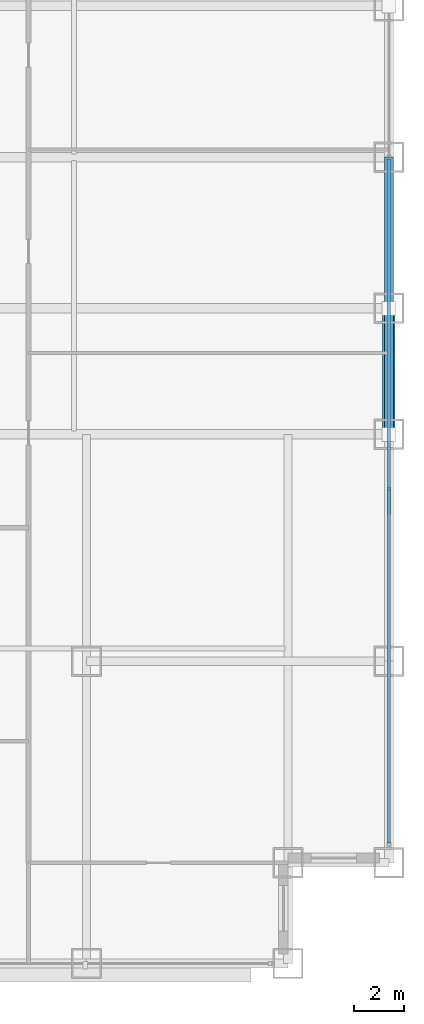
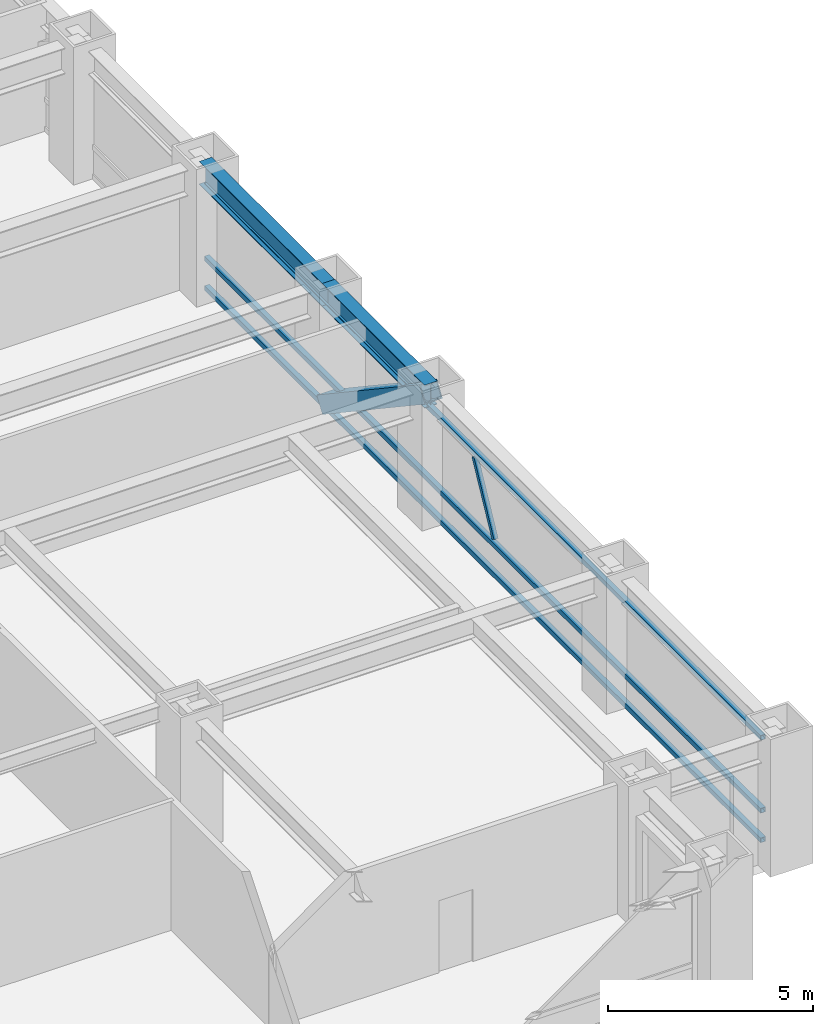
# One storey, part 13 of 32: 5 members, 2 beams, 1 element without a shape of its own.
"""IFC4 building model written with IfcOpenShell, lengths in metres."""

from ifc_helpers import new_model, si_unit, direction, frame, origin, origin_2d, place, context, subcontext, project, spatial, hollow_rectangle, i_section, extrude, source, transform, mapped, material, material_profile, profile_set, type_object, element, aggregate, save


model = new_model("IFC4")

# Units and contexts
model_context = context("Model", 3, precision=1e-05, world=origin(), true_north=direction((0.0, 1.0)))
body_context = subcontext(model_context, "Body", "Model", "MODEL_VIEW")
ifc_project = project(units=[si_unit("LENGTHUNIT", "METRE"), si_unit("AREAUNIT", "SQUARE_METRE"), si_unit("VOLUMEUNIT", "CUBIC_METRE"), si_unit("PLANEANGLEUNIT", "RADIAN"), si_unit("MASSUNIT", "GRAM", prefix="KILO")], contexts=[model_context])

# Site, building, storey
site_placement = place(None, origin())
site = spatial("IfcSite", under=ifc_project, at=site_placement, CompositionType="ELEMENT")
building_placement = place(site_placement, origin())
building = spatial("IfcBuilding", under=site, at=building_placement, Name="Khorayat Bourse Tower", CompositionType="ELEMENT")
storey_placement = place(building_placement, frame((0.0, 0.0, 95.5)))
storey = spatial("IfcBuildingStorey", under=building, at=storey_placement, Name="L21", CompositionType="ELEMENT", Elevation=95.5)

# Beams
ifc_material_1 = material(Name="Steel ASTM A992 Grade 50", Category="steel")
ifc_material_profile_1 = material_profile(ifc_material_1, i_section(OverallWidth=0.35498046875, OverallDepth=0.695068359375, WebThickness=0.015380859375, FlangeThickness=0.02490234375, FilletRadius=0.01806640625, at=origin_2d()), Name="W690X217")
ifc_profile_set_1 = profile_set([ifc_material_profile_1], Name="Steel ASTM A992 Grade 50")
beam_type = type_object("IfcBeamType", Name="BM-SPAN-690", PredefinedType="SPANDREL", material=ifc_profile_set_1)
shared_shape_1 = source(origin(), body_context, "Body", "SweptSolid", [
    extrude(i_section(OverallWidth=0.35498046875, OverallDepth=0.695068359375, WebThickness=0.015380859375, FlangeThickness=0.02490234375, FilletRadius=0.01806640625, at=origin_2d()), origin(), (0.0, 0.0, 1.0), 5.0),
])
beam_1_placement = place(storey_placement, frame((32.0, -11.0, 3.492431640625), z_axis=(0.0, 1.0, 0.0), x_axis=(-1.0, 0.0, 0.0)))
element("IfcBeam", 1, at=beam_1_placement, inside=storey, type_object=beam_type, Name="L21 BM-SPAN-690 BM-L21-SPN-036", PredefinedType="SPANDREL", context=body_context, shape_type="MappedRepresentation", body=[
    mapped(shared_shape_1, transform((0.0, 0.0, 0.0), scale=1.0)),
])
shared_shape_2 = source(origin(), body_context, "Body", "SweptSolid", [
    extrude(i_section(OverallWidth=0.35498046875, OverallDepth=0.695068359375, WebThickness=0.015380859375, FlangeThickness=0.02490234375, FilletRadius=0.01806640625, at=origin_2d()), origin(), (0.0, 0.0, 1.0), 6.0),
])
beam_2_placement = place(storey_placement, frame((32.0, -6.0, 3.492431640625), z_axis=(0.0, 1.0, 0.0), x_axis=(-1.0, 0.0, 0.0)))
element("IfcBeam", 2, at=beam_2_placement, inside=storey, type_object=beam_type, Name="L21 BM-SPAN-690 BM-L21-SPN-037", PredefinedType="SPANDREL", context=body_context, shape_type="MappedRepresentation", body=[
    mapped(shared_shape_2, transform((0.0, 0.0, 0.0), scale=1.0)),
])

# Member
ifc_material_2 = material(Name="Steel EN 10025-4 S460M", Category="steel")
ifc_material_profile_2 = material_profile(ifc_material_2, hollow_rectangle(XDim=0.5, YDim=0.5, WallThickness=0.028076171875, at=origin_2d()), Name="HSS 500x500x28")
ifc_profile_set_2 = profile_set([ifc_material_profile_2], Name="Steel EN 10025-4 S460M")
member_type_1 = type_object("IfcMemberType", Name="MBR-TUBE-500", PredefinedType="BRACE", material=ifc_profile_set_2)
shared_shape_3 = source(origin(), body_context, "Body", "SweptSolid", [
    extrude(hollow_rectangle(XDim=0.5, YDim=0.5, WallThickness=0.028076171875, at=origin_2d()), origin(), (0.0, 0.0, 1.0), 6.012939453125),
])
member_1_placement = place(storey_placement, frame((32.0, -11.0, 3.590087890625), z_axis=(0.0, 0.831531473026, -0.555477640745), x_axis=(-1.0, 0.0, 0.0)))
element("IfcMember", 3, at=member_1_placement, inside=storey, type_object=member_type_1, Name="L21 Perimeter Tube Brace 07", PredefinedType="BRACE", context=body_context, shape_type="MappedRepresentation", body=[
    mapped(shared_shape_3, transform((0.0, 0.0, 0.0), scale=1.0)),
])

# Curtain wall, members
ifc_material_3 = material(Name="Aluminium EN AW-6063 T6", Category="aluminium")
curtain_wall_type = type_object("IfcCurtainWallType", Name="CW-SYS-02", PredefinedType="NOTDEFINED", material=ifc_material_3)
curtain_wall_placement = place(storey_placement, origin())
curtain_wall = element("IfcCurtainWall", 4, at=curtain_wall_placement, inside=storey, type_object=curtain_wall_type, Name="L21 Curtain Wall CW-L21-E1", PredefinedType="NOTDEFINED")
ifc_material_profile_3 = material_profile(ifc_material_3, hollow_rectangle(XDim=0.139892578125, YDim=0.139892578125, WallThickness=0.006103515625, at=origin_2d()), Name="ALU 140x140x6")
ifc_profile_set_3 = profile_set([ifc_material_profile_3], Name="Aluminium EN AW-6063 T6")
member_type_2 = type_object("IfcMemberType", Name="CWT-HORZ-140", PredefinedType="USERDEFINED", material=ifc_profile_set_3)
shared_shape_4 = source(origin(), body_context, "Body", "SweptSolid", [
    extrude(hollow_rectangle(XDim=0.139892578125, YDim=0.139892578125, WallThickness=0.006103515625, at=origin_2d()), origin(), (0.0, 0.0, 1.0), 27.139892578125),
])
member_2_placement = place(storey_placement, frame((32.0, -27.2099609375, 0.070068359375), z_axis=(0.0, 1.0, 0.0), x_axis=(-1.0, 0.0, 0.0)))
member_2 = element("IfcMember", 5, at=member_2_placement, type_object=member_type_2, Name="CW-L21-E1 Horizontal Transom 1-1", ObjectType="TRANSOM", PredefinedType="USERDEFINED", context=body_context, shape_type="MappedRepresentation", body=[
    mapped(shared_shape_4, transform((0.0, 0.0, 0.0), scale=1.0)),
])
member_3_placement = place(storey_placement, frame((32.0, -27.2099609375, 0.949951171875), z_axis=(0.0, 1.0, 0.0), x_axis=(-1.0, 0.0, 0.0)))
member_3 = element("IfcMember", 6, at=member_3_placement, type_object=member_type_2, Name="CW-L21-E1 Horizontal Transom 1-2", ObjectType="TRANSOM", PredefinedType="USERDEFINED", context=body_context, shape_type="MappedRepresentation", body=[
    mapped(shared_shape_4, transform((0.0, 0.0, 0.0), scale=1.0)),
])
member_4_placement = place(storey_placement, frame((32.0, -27.2099609375, 3.1201171875), z_axis=(0.0, 1.0, 0.0), x_axis=(-1.0, 0.0, 0.0)))
member_4 = element("IfcMember", 7, at=member_4_placement, type_object=member_type_2, Name="CW-L21-E1 Horizontal Transom 1-3", ObjectType="TRANSOM", PredefinedType="USERDEFINED", context=body_context, shape_type="MappedRepresentation", body=[
    mapped(shared_shape_4, transform((0.0, 0.0, 0.0), scale=1.0)),
])
ifc_material_profile_4 = material_profile(ifc_material_3, hollow_rectangle(XDim=0.1201171875, YDim=0.1201171875, WallThickness=0.0048828125, at=origin_2d()), Name="ALU 120x120x5")
ifc_profile_set_4 = profile_set([ifc_material_profile_4], Name="Aluminium EN AW-6063 T6")
member_type_3 = type_object("IfcMemberType", Name="CWM-DIAG-120", PredefinedType="MULLION", material=ifc_profile_set_4)
shared_shape_5 = source(origin(), body_context, "Body", "SweptSolid", [
    extrude(hollow_rectangle(XDim=0.1201171875, YDim=0.1201171875, WallThickness=0.0048828125, at=origin_2d()), origin(), (0.0, 0.0, 1.0), 2.113037109375),
])
member_5_placement = place(storey_placement, frame((32.0, -14.132080078125, 1.10009765625), z_axis=(0.0, 0.465741670874, 0.884920728659), x_axis=(-1.0, 0.0, 0.0)))
member_5 = element("IfcMember", 8, at=member_5_placement, type_object=member_type_3, Name="CW-L21-E1 Faceted Diagonal Mullion 1", PredefinedType="MULLION", context=body_context, shape_type="MappedRepresentation", body=[
    mapped(shared_shape_5, transform((0.0, 0.0, 0.0), scale=1.0)),
])
aggregate(curtain_wall, [member_2, member_3, member_4, member_5])

save(model, "model.ifc")
